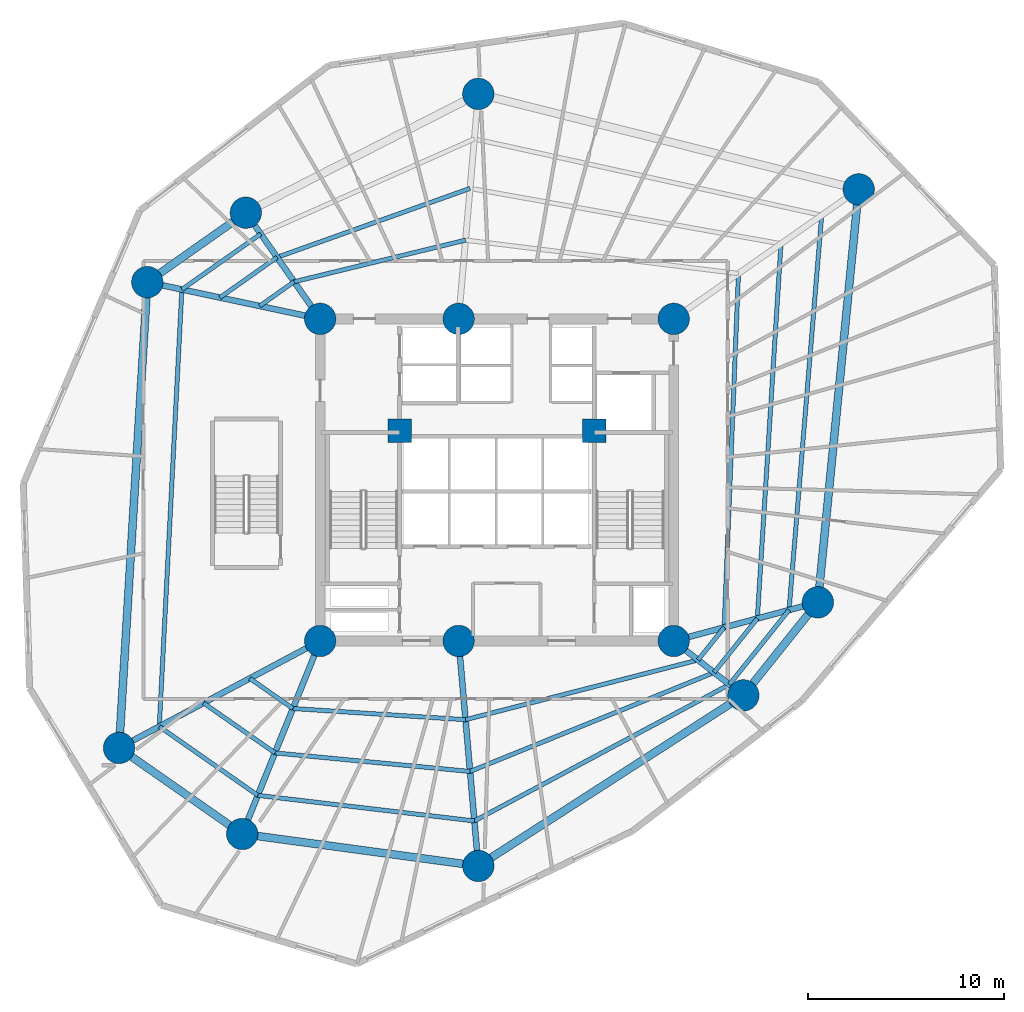
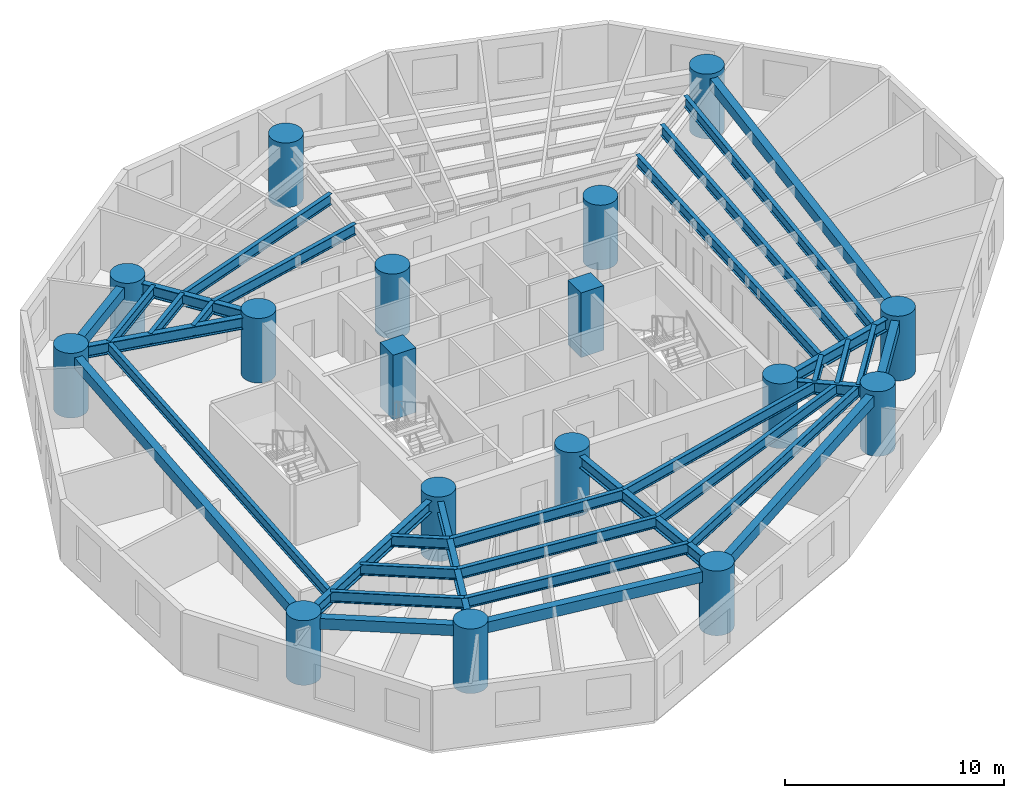
# One storey, part 1 of 8: 35 beams, 17 columns.
"""IFC4 building model written with IfcOpenShell, lengths in metres."""

from ifc_helpers import new_model, si_unit, direction, frame, origin, origin_with_axes, origin_2d, place, context, subcontext, project, spatial, rectangle, circle, i_section, extrude, source, transform, mapped, material, material_profile, profile_set, type_object, element, save


model = new_model("IFC4")

# Units and contexts
model_context = context("Model", 3, precision=1e-05, world=origin(), true_north=direction((0.0, 1.0)))
body_context = subcontext(model_context, "Body", "Model", "MODEL_VIEW")
ifc_project = project(units=[si_unit("LENGTHUNIT", "METRE"), si_unit("AREAUNIT", "SQUARE_METRE"), si_unit("VOLUMEUNIT", "CUBIC_METRE"), si_unit("PLANEANGLEUNIT", "RADIAN"), si_unit("MASSUNIT", "GRAM", prefix="KILO")], contexts=[model_context])

# Site, building, storey
site_placement = place(None, origin())
site = spatial("IfcSite", under=ifc_project, at=site_placement, CompositionType="ELEMENT")
building_placement = place(site_placement, origin())
building = spatial("IfcBuilding", under=site, at=building_placement, Name="Karkom Vertical University and Central Library", CompositionType="ELEMENT")
storey_placement = place(building_placement, frame((0.0, 0.0, 51.699951171875)))
storey = spatial("IfcBuildingStorey", under=building, at=storey_placement, Name="L13", CompositionType="ELEMENT", Elevation=51.699951171875)

# Columns
ifc_material_1 = material(Name="Concrete C50/60", Category="concrete")
ifc_material_profile_1 = material_profile(ifc_material_1, circle(Radius=0.800048828125, at=origin_2d()), Name="CFT-D1600")
ifc_profile_set_1 = profile_set([ifc_material_profile_1], Name="Concrete C50/60")
column_type_1 = type_object("IfcColumnType", Name="STR-COL-C-SC2", PredefinedType="COLUMN", material=ifc_profile_set_1)
shared_shape_1 = source(origin_with_axes(), body_context, "Body", "SweptSolid", [
    extrude(circle(Radius=0.800048828125, at=origin_2d()), origin(), (0.0, 0.0, 1.0), 3.60009765625),
])
for number, where, z_axis, x_axis, name in (
    (1, (19.5, 18.300048828125, 0.0), (0.0, 0.0, 1.0), (1.0, 0.0, 0.0), "Level 13 Spine Mega-Column SC-1"),
    (2, (26.550048828125, 18.300048828125, 0.0), (0.0, 0.0, 1.0), (1.0, 0.0, 0.0), "Level 13 Spine Mega-Column SC-2"),
    (3, (37.5, 18.300048828125, 0.0), (0.0, 0.0, 1.0), (1.0, 0.0, 0.0), "Level 13 Spine Mega-Column SC-3"),
    (4, (19.5, 34.699951171875, 0.0), (0.0, 0.0, 1.0), (1.0, 0.0, 0.0), "Level 13 Spine Mega-Column SC-4"),
    (5, (26.550048828125, 34.699951171875, 0.0), (0.0, 0.0, 1.0), (1.0, 0.0, 0.0), "Level 13 Spine Mega-Column SC-5"),
    (6, (37.5, 34.699951171875, 0.0), (0.0, 0.0, 1.0), (1.0, 0.0, 0.0), "Level 13 Spine Mega-Column SC-6"),
    (7, (44.841064453125, 20.26708984375, 0.0), (0.0, 0.0, 1.0), (1.0, 0.0, 0.0), "Level 13 Perimeter Mega-Column Z1-PC1"),
    (8, (46.919921875, 41.2958984375, 0.0), (0.0, 0.0, 1.0), (1.0, 0.0, 0.0), "Level 13 Perimeter Mega-Column Z1-PC2"),
    (9, (27.552001953125, 46.156005859375, 0.0), (0.0, 0.0, 1.0), (1.0, 0.0, 0.0), "Level 13 Perimeter Mega-Column Z1-PC3"),
    (10, (15.714111328125, 40.10595703125, 0.0), (0.0, 0.0, 1.0), (1.0, 0.0, 0.0), "Level 13 Perimeter Mega-Column Z1-PC4"),
    (11, (10.697021484375, 36.571044921875, 0.0), (0.0, 0.0, 1.0), (1.0, 0.0, 0.0), "Level 13 Perimeter Mega-Column Z1-PC5"),
    (12, (9.258056640625, 12.85400390625, 0.0), (0.0, 0.0, 1.0), (1.0, 0.0, 0.0), "Level 13 Perimeter Mega-Column Z1-PC6"),
    (13, (15.529052734375, 8.471923828125, 0.0), (0.0, 0.0, 1.0), (1.0, 0.0, 0.0), "Level 13 Perimeter Mega-Column Z1-PC7"),
    (14, (27.552001953125, 6.843994140625, 0.0), (0.0, 0.0, 1.0), (1.0, 0.0, 0.0), "Level 13 Perimeter Mega-Column Z1-PC8"),
    (15, (41.0458984375, 15.530029296875, 0.0), (0.0, 0.0, 1.0), (1.0, 0.0, 0.0), "Level 13 Perimeter Mega-Column Z1-PC9"),
):
    element("IfcColumn", number, at=place(storey_placement, frame(where, z_axis=z_axis, x_axis=x_axis)), inside=storey, type_object=column_type_1, Name=name, PredefinedType="COLUMN", context=body_context, shape_type="MappedRepresentation", body=[
        mapped(shared_shape_1, transform((0.0, 0.0, 0.0), scale=1.0)),
    ])
ifc_material_profile_2 = material_profile(ifc_material_1, rectangle(XDim=1.199951171875, YDim=1.199951171875, at=origin_2d()), Name="RC-1200x1200")
ifc_profile_set_2 = profile_set([ifc_material_profile_2], Name="Concrete C50/60")
column_type_2 = type_object("IfcColumnType", Name="STR-COL-C-CC1", PredefinedType="COLUMN", material=ifc_profile_set_2)
shared_shape_2 = source(origin_with_axes(), body_context, "Body", "SweptSolid", [
    extrude(rectangle(XDim=1.199951171875, YDim=1.199951171875, at=origin_2d()), origin(), (0.0, 0.0, 1.0), 3.60009765625),
])
for number, where, z_axis, x_axis, name in (
    (16, (23.550048828125, 29.0, 0.0), (0.0, 0.0, 1.0), (1.0, 0.0, 0.0), "Level 13 Core Node Column CC-1"),
    (17, (33.449951171875, 29.0, 0.0), (0.0, 0.0, 1.0), (1.0, 0.0, 0.0), "Level 13 Core Node Column CC-2"),
):
    element("IfcColumn", number, at=place(storey_placement, frame(where, z_axis=z_axis, x_axis=x_axis)), inside=storey, type_object=column_type_2, Name=name, PredefinedType="COLUMN", context=body_context, shape_type="MappedRepresentation", body=[
        mapped(shared_shape_2, transform((0.0, 0.0, 0.0), scale=1.0)),
    ])

# Beams
ifc_material_2 = material(Name="Steel S355", Category="steel")
ifc_material_profile_3 = material_profile(ifc_material_2, i_section(OverallWidth=0.300048828125, OverallDepth=0.64990234375, WebThickness=0.01611328125, FlangeThickness=0.031005859375, FilletRadius=0.027099609375, at=origin_2d()), Name="HE 650 B")
ifc_profile_set_3 = profile_set([ifc_material_profile_3], Name="Steel S355")
beam_type_1 = type_object("IfcBeamType", Name="STR-BM-SB-HE650", PredefinedType="USERDEFINED", material=ifc_profile_set_3)
shared_shape_3 = source(origin_with_axes(), body_context, "Body", "SweptSolid", [
    extrude(i_section(OverallWidth=0.300048828125, OverallDepth=0.64990234375, WebThickness=0.01611328125, FlangeThickness=0.031005859375, FilletRadius=0.027099609375, at=origin_2d()), origin(), (0.0, 0.0, 1.0), 7.60009765625),
])
beam_1_placement = place(storey_placement, frame((37.5, 18.300048828125, 3.025146484375), z_axis=(0.965925539322, 0.258820116077, 0.0), x_axis=(-0.258820116077, 0.965925539322, 0.0)))
element("IfcBeam", 18, at=beam_1_placement, inside=storey, type_object=beam_type_1, Name="Level 13 Radial Frame Girder 01", ObjectType="GIRDER", PredefinedType="USERDEFINED", context=body_context, shape_type="MappedRepresentation", body=[
    mapped(shared_shape_3, transform((0.0, 0.0, 0.0), scale=1.0)),
])
shared_shape_4 = source(origin_with_axes(), body_context, "Body", "SweptSolid", [
    extrude(i_section(OverallWidth=0.300048828125, OverallDepth=0.64990234375, WebThickness=0.01611328125, FlangeThickness=0.031005859375, FilletRadius=0.027099609375, at=origin_2d()), origin(), (0.0, 0.0, 1.0), 11.499755859375),
])
beam_2_placement = place(storey_placement, frame((26.550048828125, 18.300048828125, 3.025146484375), z_axis=(0.087127973109, -0.99619712723, 0.0), x_axis=(0.99619712723, 0.087127973109, 0.0)))
element("IfcBeam", 19, at=beam_2_placement, inside=storey, type_object=beam_type_1, Name="Level 13 Radial Frame Girder 08", ObjectType="GIRDER", PredefinedType="USERDEFINED", context=body_context, shape_type="MappedRepresentation", body=[
    mapped(shared_shape_4, transform((0.0, 0.0, 0.0), scale=1.0)),
])
shared_shape_5 = source(origin_with_axes(), body_context, "Body", "SweptSolid", [
    extrude(i_section(OverallWidth=0.300048828125, OverallDepth=0.64990234375, WebThickness=0.01611328125, FlangeThickness=0.031005859375, FilletRadius=0.027099609375, at=origin_2d()), origin(), (0.0, 0.0, 1.0), 6.599853515625),
])
beam_3_placement = place(storey_placement, frame((19.5, 34.699951171875, 3.025146484375), z_axis=(-0.573633636671, 0.819111989218, 0.0), x_axis=(-0.819111989218, -0.573633636671, 0.0)))
element("IfcBeam", 20, at=beam_3_placement, inside=storey, type_object=beam_type_1, Name="Level 13 Radial Frame Girder 04", ObjectType="GIRDER", PredefinedType="USERDEFINED", context=body_context, shape_type="MappedRepresentation", body=[
    mapped(shared_shape_5, transform((0.0, 0.0, 0.0), scale=1.0)),
])
shared_shape_6 = source(origin_with_axes(), body_context, "Body", "SweptSolid", [
    extrude(i_section(OverallWidth=0.300048828125, OverallDepth=0.64990234375, WebThickness=0.01611328125, FlangeThickness=0.031005859375, FilletRadius=0.027099609375, at=origin_2d()), origin(), (0.0, 0.0, 1.0), 8.999755859375),
])
beam_4_placement = place(storey_placement, frame((19.5, 34.699951171875, 3.025146484375), z_axis=(-0.978148438993, 0.207907747079, 0.0), x_axis=(-0.207907747079, -0.978148438993, 0.0)))
element("IfcBeam", 21, at=beam_4_placement, inside=storey, type_object=beam_type_1, Name="Level 13 Radial Frame Girder 05", ObjectType="GIRDER", PredefinedType="USERDEFINED", context=body_context, shape_type="MappedRepresentation", body=[
    mapped(shared_shape_6, transform((0.0, 0.0, 0.0), scale=1.0)),
])
shared_shape_7 = source(origin_with_axes(), body_context, "Body", "SweptSolid", [
    extrude(i_section(OverallWidth=0.300048828125, OverallDepth=0.64990234375, WebThickness=0.01611328125, FlangeThickness=0.031005859375, FilletRadius=0.027099609375, at=origin_2d()), origin(), (0.0, 0.0, 1.0), 11.599853515625),
])
beam_5_placement = place(storey_placement, frame((19.5, 18.300048828125, 3.025146484375), z_axis=(-0.882936620635, -0.469492197957, 0.0), x_axis=(0.469492197957, -0.882936620635, 0.0)))
element("IfcBeam", 22, at=beam_5_placement, inside=storey, type_object=beam_type_1, Name="Level 13 Radial Frame Girder 06", ObjectType="GIRDER", PredefinedType="USERDEFINED", context=body_context, shape_type="MappedRepresentation", body=[
    mapped(shared_shape_7, transform((0.0, 0.0, 0.0), scale=1.0)),
])
shared_shape_8 = source(origin_with_axes(), body_context, "Body", "SweptSolid", [
    extrude(i_section(OverallWidth=0.300048828125, OverallDepth=0.64990234375, WebThickness=0.01611328125, FlangeThickness=0.031005859375, FilletRadius=0.027099609375, at=origin_2d()), origin(), (0.0, 0.0, 1.0), 10.60009765625),
])
beam_6_placement = place(storey_placement, frame((19.5, 18.300048828125, 3.025146484375), z_axis=(-0.374616894394, -0.927179692635, 0.0), x_axis=(0.927179692635, -0.374616894394, 0.0)))
element("IfcBeam", 23, at=beam_6_placement, inside=storey, type_object=beam_type_1, Name="Level 13 Radial Frame Girder 07", ObjectType="GIRDER", PredefinedType="USERDEFINED", context=body_context, shape_type="MappedRepresentation", body=[
    mapped(shared_shape_8, transform((0.0, 0.0, 0.0), scale=1.0)),
])
shared_shape_9 = source(origin_with_axes(), body_context, "Body", "SweptSolid", [
    extrude(i_section(OverallWidth=0.300048828125, OverallDepth=0.64990234375, WebThickness=0.01611328125, FlangeThickness=0.031005859375, FilletRadius=0.027099609375, at=origin_2d()), origin(), (0.0, 0.0, 1.0), 4.49951171875),
])
beam_7_placement = place(storey_placement, frame((37.5, 18.300048828125, 3.025146484375), z_axis=(0.788047405801, -0.615614559778, 0.0), x_axis=(0.615614559778, 0.788047405801, 0.0)))
element("IfcBeam", 24, at=beam_7_placement, inside=storey, type_object=beam_type_1, Name="Level 13 Radial Frame Girder 09", ObjectType="GIRDER", PredefinedType="USERDEFINED", context=body_context, shape_type="MappedRepresentation", body=[
    mapped(shared_shape_9, transform((0.0, 0.0, 0.0), scale=1.0)),
])
ifc_material_3 = material(Name="Precast concrete C45/55", Category="concrete")
ifc_material_profile_4 = material_profile(ifc_material_3, rectangle(XDim=0.39990234375, YDim=0.60009765625, at=origin_2d()), Name="SPB-400x600")
ifc_profile_set_4 = profile_set([ifc_material_profile_4], Name="Precast concrete C45/55")
beam_type_2 = type_object("IfcBeamType", Name="STR-BM-SP-1", PredefinedType="SPANDREL", material=ifc_profile_set_4)
shared_shape_10 = source(origin_with_axes(), body_context, "Body", "SweptSolid", [
    extrude(rectangle(XDim=0.39990234375, YDim=0.60009765625, at=origin_2d()), origin(), (0.0, 0.0, 1.0), 21.13134765625),
])
beam_8_placement = place(storey_placement, frame((44.841064453125, 20.26708984375, 3.050048828125), z_axis=(0.0983780471, 0.995149114379, 0.0), x_axis=(-0.995149114379, 0.0983780471, 0.0)))
element("IfcBeam", 25, at=beam_8_placement, inside=storey, type_object=beam_type_2, Name="Level 13 Perimeter Spandrel Beam 01", PredefinedType="SPANDREL", context=body_context, shape_type="MappedRepresentation", body=[
    mapped(shared_shape_10, transform((0.0, 0.0, 0.0), scale=1.0)),
])
shared_shape_11 = source(origin_with_axes(), body_context, "Body", "SweptSolid", [
    extrude(rectangle(XDim=0.39990234375, YDim=0.60009765625, at=origin_2d()), origin(), (0.0, 0.0, 1.0), 6.13720703125),
])
beam_9_placement = place(storey_placement, frame((15.714111328125, 40.10595703125, 3.050048828125), z_axis=(-0.817471365538, -0.575969240955, 0.0), x_axis=(0.575969240955, -0.817471365538, 0.0)))
element("IfcBeam", 26, at=beam_9_placement, inside=storey, type_object=beam_type_2, Name="Level 13 Perimeter Spandrel Beam 04", PredefinedType="SPANDREL", context=body_context, shape_type="MappedRepresentation", body=[
    mapped(shared_shape_11, transform((0.0, 0.0, 0.0), scale=1.0)),
])
shared_shape_12 = source(origin_with_axes(), body_context, "Body", "SweptSolid", [
    extrude(rectangle(XDim=0.39990234375, YDim=0.60009765625, at=origin_2d()), origin(), (0.0, 0.0, 1.0), 23.7607421875),
])
beam_10_placement = place(storey_placement, frame((10.697021484375, 36.571044921875, 3.050048828125), z_axis=(-0.060560827767, -0.998164508556, 0.0), x_axis=(0.998164508556, -0.060560827767, 0.0)))
element("IfcBeam", 27, at=beam_10_placement, inside=storey, type_object=beam_type_2, Name="Level 13 Perimeter Spandrel Beam 05", PredefinedType="SPANDREL", context=body_context, shape_type="MappedRepresentation", body=[
    mapped(shared_shape_12, transform((0.0, 0.0, 0.0), scale=1.0)),
])
shared_shape_13 = source(origin_with_axes(), body_context, "Body", "SweptSolid", [
    extrude(rectangle(XDim=0.39990234375, YDim=0.60009765625, at=origin_2d()), origin(), (0.0, 0.0, 1.0), 7.650390625),
])
beam_11_placement = place(storey_placement, frame((9.258056640625, 12.85400390625, 3.050048828125), z_axis=(0.819699409527, -0.572793922822, 0.0), x_axis=(0.572793922822, 0.819699409527, 0.0)))
element("IfcBeam", 28, at=beam_11_placement, inside=storey, type_object=beam_type_2, Name="Level 13 Perimeter Spandrel Beam 06", PredefinedType="SPANDREL", context=body_context, shape_type="MappedRepresentation", body=[
    mapped(shared_shape_13, transform((0.0, 0.0, 0.0), scale=1.0)),
])
shared_shape_14 = source(origin_with_axes(), body_context, "Body", "SweptSolid", [
    extrude(rectangle(XDim=0.39990234375, YDim=0.60009765625, at=origin_2d()), origin(), (0.0, 0.0, 1.0), 12.132568359375),
])
beam_12_placement = place(storey_placement, frame((15.529052734375, 8.471923828125, 3.050048828125), z_axis=(0.990957319008, -0.134177464223, 0.0), x_axis=(0.134177464223, 0.990957319008, 0.0)))
element("IfcBeam", 29, at=beam_12_placement, inside=storey, type_object=beam_type_2, Name="Level 13 Perimeter Spandrel Beam 07", PredefinedType="SPANDREL", context=body_context, shape_type="MappedRepresentation", body=[
    mapped(shared_shape_14, transform((0.0, 0.0, 0.0), scale=1.0)),
])
shared_shape_15 = source(origin_with_axes(), body_context, "Body", "SweptSolid", [
    extrude(rectangle(XDim=0.39990234375, YDim=0.60009765625, at=origin_2d()), origin(), (0.0, 0.0, 1.0), 16.0478515625),
])
beam_13_placement = place(storey_placement, frame((27.552001953125, 6.843994140625, 3.050048828125), z_axis=(0.84085555045, 0.541259589548, 0.0), x_axis=(-0.541259589548, 0.84085555045, 0.0)))
element("IfcBeam", 30, at=beam_13_placement, inside=storey, type_object=beam_type_2, Name="Level 13 Perimeter Spandrel Beam 08", PredefinedType="SPANDREL", context=body_context, shape_type="MappedRepresentation", body=[
    mapped(shared_shape_15, transform((0.0, 0.0, 0.0), scale=1.0)),
])
shared_shape_16 = source(origin_with_axes(), body_context, "Body", "SweptSolid", [
    extrude(rectangle(XDim=0.39990234375, YDim=0.60009765625, at=origin_2d()), origin(), (0.0, 0.0, 1.0), 6.06982421875),
])
beam_14_placement = place(storey_placement, frame((41.0458984375, 15.530029296875, 3.050048828125), z_axis=(0.625249167344, 0.780425190992, 0.0), x_axis=(-0.780425190992, 0.625249167344, 0.0)))
element("IfcBeam", 31, at=beam_14_placement, inside=storey, type_object=beam_type_2, Name="Level 13 Perimeter Spandrel Beam 09", PredefinedType="SPANDREL", context=body_context, shape_type="MappedRepresentation", body=[
    mapped(shared_shape_16, transform((0.0, 0.0, 0.0), scale=1.0)),
])
ifc_material_profile_5 = material_profile(ifc_material_2, i_section(OverallWidth=0.219970703125, OverallDepth=0.60009765625, WebThickness=0.011962890625, FlangeThickness=0.01904296875, FilletRadius=0.02392578125, at=origin_2d()), Name="IPE 600")
ifc_profile_set_5 = profile_set([ifc_material_profile_5], Name="Steel S355")
beam_type_3 = type_object("IfcBeamType", Name="STR-BM-SB-IPE600", PredefinedType="BEAM", material=ifc_profile_set_5)
shared_shape_17 = source(origin_with_axes(), body_context, "Body", "SweptSolid", [
    extrude(i_section(OverallWidth=0.219970703125, OverallDepth=0.60009765625, WebThickness=0.011962890625, FlangeThickness=0.01904296875, FilletRadius=0.02392578125, at=origin_2d()), origin(), (0.0, 0.0, 1.0), 18.03466796875),
])
beam_15_placement = place(storey_placement, frame((40.0693359375, 18.988525390625, 3.050048828125), z_axis=(0.04035458262, 0.999185422062, 0.0), x_axis=(-0.999185422062, 0.04035458262, 0.0)))
element("IfcBeam", 32, at=beam_15_placement, inside=storey, type_object=beam_type_3, Name="Level 13 Secondary Composite Floor Beam 1.01", PredefinedType="BEAM", context=body_context, shape_type="MappedRepresentation", body=[
    mapped(shared_shape_17, transform((0.0, 0.0, 0.0), scale=1.0)),
])
shared_shape_18 = source(origin_with_axes(), body_context, "Body", "SweptSolid", [
    extrude(i_section(OverallWidth=0.219970703125, OverallDepth=0.60009765625, WebThickness=0.011962890625, FlangeThickness=0.01904296875, FilletRadius=0.02392578125, at=origin_2d()), origin(), (0.0, 0.0, 1.0), 8.97900390625),
])
beam_16_placement = place(storey_placement, frame((26.900634765625, 38.709716796875, 3.050048828125), z_axis=(-0.971790837509, -0.235844372697, 0.0), x_axis=(0.235844372697, -0.971790837509, 0.0)))
element("IfcBeam", 33, at=beam_16_placement, inside=storey, type_object=beam_type_3, Name="Level 13 Secondary Composite Floor Beam 1.03", PredefinedType="BEAM", context=body_context, shape_type="MappedRepresentation", body=[
    mapped(shared_shape_18, transform((0.0, 0.0, 0.0), scale=1.0)),
])
shared_shape_19 = source(origin_with_axes(), body_context, "Body", "SweptSolid", [
    extrude(i_section(OverallWidth=0.219970703125, OverallDepth=0.60009765625, WebThickness=0.011962890625, FlangeThickness=0.01904296875, FilletRadius=0.02392578125, at=origin_2d()), origin(), (0.0, 0.0, 1.0), 2.14794921875),
])
beam_17_placement = place(storey_placement, frame((18.1748046875, 36.592041015625, 3.050048828125), z_axis=(-0.817433780971, -0.576022580918, 0.0), x_axis=(0.576022580918, -0.817433780971, 0.0)))
element("IfcBeam", 34, at=beam_17_placement, inside=storey, type_object=beam_type_3, Name="Level 13 Secondary Composite Floor Beam 1.04", PredefinedType="BEAM", context=body_context, shape_type="MappedRepresentation", body=[
    mapped(shared_shape_19, transform((0.0, 0.0, 0.0), scale=1.0)),
])
shared_shape_20 = source(origin_with_axes(), body_context, "Body", "SweptSolid", [
    extrude(i_section(OverallWidth=0.219970703125, OverallDepth=0.60009765625, WebThickness=0.011962890625, FlangeThickness=0.01904296875, FilletRadius=0.02392578125, at=origin_2d()), origin(), (0.0, 0.0, 1.0), 2.677490234375),
])
beam_18_placement = place(storey_placement, frame((15.915283203125, 16.393798828125, 3.050048828125), z_axis=(0.819702839548, -0.572789014243, 0.0), x_axis=(0.572789014243, 0.819702839548, 0.0)))
element("IfcBeam", 35, at=beam_18_placement, inside=storey, type_object=beam_type_3, Name="Level 13 Secondary Composite Floor Beam 1.06", PredefinedType="BEAM", context=body_context, shape_type="MappedRepresentation", body=[
    mapped(shared_shape_20, transform((0.0, 0.0, 0.0), scale=1.0)),
])
shared_shape_21 = source(origin_with_axes(), body_context, "Body", "SweptSolid", [
    extrude(i_section(OverallWidth=0.219970703125, OverallDepth=0.60009765625, WebThickness=0.011962890625, FlangeThickness=0.01904296875, FilletRadius=0.02392578125, at=origin_2d()), origin(), (0.0, 0.0, 1.0), 8.80908203125),
])
beam_19_placement = place(storey_placement, frame((18.110107421875, 14.860107421875, 3.050048828125), z_axis=(0.997905617906, -0.064686766433, 0.0), x_axis=(0.064686766433, 0.997905617906, 0.0)))
element("IfcBeam", 36, at=beam_19_placement, inside=storey, type_object=beam_type_3, Name="Level 13 Secondary Composite Floor Beam 1.07", PredefinedType="BEAM", context=body_context, shape_type="MappedRepresentation", body=[
    mapped(shared_shape_21, transform((0.0, 0.0, 0.0), scale=1.0)),
])
shared_shape_22 = source(origin_with_axes(), body_context, "Body", "SweptSolid", [
    extrude(i_section(OverallWidth=0.219970703125, OverallDepth=0.60009765625, WebThickness=0.011962890625, FlangeThickness=0.01904296875, FilletRadius=0.02392578125, at=origin_2d()), origin(), (0.0, 0.0, 1.0), 12.224609375),
])
beam_20_placement = place(storey_placement, frame((26.900634765625, 14.290283203125, 3.050048828125), z_axis=(0.968580403264, 0.248700628092, 0.0), x_axis=(-0.248700628092, 0.968580403264, 0.0)))
element("IfcBeam", 37, at=beam_20_placement, inside=storey, type_object=beam_type_3, Name="Level 13 Secondary Composite Floor Beam 1.08", PredefinedType="BEAM", context=body_context, shape_type="MappedRepresentation", body=[
    mapped(shared_shape_22, transform((0.0, 0.0, 0.0), scale=1.0)),
])
shared_shape_23 = source(origin_with_axes(), body_context, "Body", "SweptSolid", [
    extrude(i_section(OverallWidth=0.219970703125, OverallDepth=0.60009765625, WebThickness=0.011962890625, FlangeThickness=0.01904296875, FilletRadius=0.02392578125, at=origin_2d()), origin(), (0.0, 0.0, 1.0), 2.124267578125),
])
beam_21_placement = place(storey_placement, frame((38.7412109375, 17.33056640625, 3.050048828125), z_axis=(0.625199471959, 0.780465002587, 0.0), x_axis=(-0.780465002587, 0.625199471959, 0.0)))
element("IfcBeam", 38, at=beam_21_placement, inside=storey, type_object=beam_type_3, Name="Level 13 Secondary Composite Floor Beam 1.09", PredefinedType="BEAM", context=body_context, shape_type="MappedRepresentation", body=[
    mapped(shared_shape_23, transform((0.0, 0.0, 0.0), scale=1.0)),
])
shared_shape_24 = source(origin_with_axes(), body_context, "Body", "SweptSolid", [
    extrude(i_section(OverallWidth=0.219970703125, OverallDepth=0.60009765625, WebThickness=0.011962890625, FlangeThickness=0.01904296875, FilletRadius=0.02392578125, at=origin_2d()), origin(), (0.0, 0.0, 1.0), 19.122802734375),
])
beam_22_placement = place(storey_placement, frame((41.7578125, 19.44091796875, 3.050048828125), z_axis=(0.063056264597, 0.998009973645, 0.0), x_axis=(-0.998009973645, 0.063056264597, 0.0)))
element("IfcBeam", 39, at=beam_22_placement, inside=storey, type_object=beam_type_3, Name="Level 13 Secondary Composite Floor Beam 2.01", PredefinedType="BEAM", context=body_context, shape_type="MappedRepresentation", body=[
    mapped(shared_shape_24, transform((0.0, 0.0, 0.0), scale=1.0)),
])
shared_shape_25 = source(origin_with_axes(), body_context, "Body", "SweptSolid", [
    extrude(i_section(OverallWidth=0.219970703125, OverallDepth=0.60009765625, WebThickness=0.011962890625, FlangeThickness=0.01904296875, FilletRadius=0.02392578125, at=origin_2d()), origin(), (0.0, 0.0, 1.0), 10.4345703125),
])
beam_23_placement = place(storey_placement, frame((27.131103515625, 41.344482421875, 3.050048828125), z_axis=(-0.941759378798, -0.336287484819, 0.0), x_axis=(0.336287484819, -0.941759378798, 0.0)))
element("IfcBeam", 40, at=beam_23_placement, inside=storey, type_object=beam_type_3, Name="Level 13 Secondary Composite Floor Beam 2.03", PredefinedType="BEAM", context=body_context, shape_type="MappedRepresentation", body=[
    mapped(shared_shape_25, transform((0.0, 0.0, 0.0), scale=1.0)),
])
shared_shape_26 = source(origin_with_axes(), body_context, "Body", "SweptSolid", [
    extrude(i_section(OverallWidth=0.219970703125, OverallDepth=0.60009765625, WebThickness=0.011962890625, FlangeThickness=0.01904296875, FilletRadius=0.02392578125, at=origin_2d()), origin(), (0.0, 0.0, 1.0), 3.5595703125),
])
beam_24_placement = place(storey_placement, frame((17.30419921875, 37.83544921875, 3.050048828125), z_axis=(-0.817465552849, -0.575977490798, 0.0), x_axis=(0.575977490798, -0.817465552849, 0.0)))
element("IfcBeam", 41, at=beam_24_placement, inside=storey, type_object=beam_type_3, Name="Level 13 Secondary Composite Floor Beam 2.04", PredefinedType="BEAM", context=body_context, shape_type="MappedRepresentation", body=[
    mapped(shared_shape_26, transform((0.0, 0.0, 0.0), scale=1.0)),
])
shared_shape_27 = source(origin_with_axes(), body_context, "Body", "SweptSolid", [
    extrude(i_section(OverallWidth=0.219970703125, OverallDepth=0.60009765625, WebThickness=0.011962890625, FlangeThickness=0.01904296875, FilletRadius=0.02392578125, at=origin_2d()), origin(), (0.0, 0.0, 1.0), 4.437255859375),
])
beam_25_placement = place(storey_placement, frame((13.5595703125, 15.141357421875, 3.050048828125), z_axis=(0.819712425733, -0.572775295468, 0.0), x_axis=(0.572775295468, 0.819712425733, 0.0)))
element("IfcBeam", 42, at=beam_25_placement, inside=storey, type_object=beam_type_3, Name="Level 13 Secondary Composite Floor Beam 2.06", PredefinedType="BEAM", context=body_context, shape_type="MappedRepresentation", body=[
    mapped(shared_shape_27, transform((0.0, 0.0, 0.0), scale=1.0)),
])
shared_shape_28 = source(origin_with_axes(), body_context, "Body", "SweptSolid", [
    extrude(i_section(OverallWidth=0.219970703125, OverallDepth=0.60009765625, WebThickness=0.011962890625, FlangeThickness=0.01904296875, FilletRadius=0.02392578125, at=origin_2d()), origin(), (0.0, 0.0, 1.0), 9.97900390625),
])
beam_26_placement = place(storey_placement, frame((17.19677734375, 12.599853515625, 3.050048828125), z_axis=(0.995512389915, -0.094631292526, 0.0), x_axis=(0.094631292526, 0.995512389915, 0.0)))
element("IfcBeam", 43, at=beam_26_placement, inside=storey, type_object=beam_type_3, Name="Level 13 Secondary Composite Floor Beam 2.07", PredefinedType="BEAM", context=body_context, shape_type="MappedRepresentation", body=[
    mapped(shared_shape_28, transform((0.0, 0.0, 0.0), scale=1.0)),
])
shared_shape_29 = source(origin_with_axes(), body_context, "Body", "SweptSolid", [
    extrude(i_section(OverallWidth=0.219970703125, OverallDepth=0.60009765625, WebThickness=0.011962890625, FlangeThickness=0.01904296875, FilletRadius=0.02392578125, at=origin_2d()), origin(), (0.0, 0.0, 1.0), 13.407958984375),
])
beam_27_placement = place(storey_placement, frame((27.131103515625, 11.655517578125, 3.050048828125), z_axis=(0.926727273371, 0.375734694685, 0.0), x_axis=(-0.375734694685, 0.926727273371, 0.0)))
element("IfcBeam", 44, at=beam_27_placement, inside=storey, type_object=beam_type_3, Name="Level 13 Secondary Composite Floor Beam 2.08", PredefinedType="BEAM", context=body_context, shape_type="MappedRepresentation", body=[
    mapped(shared_shape_29, transform((0.0, 0.0, 0.0), scale=1.0)),
])
shared_shape_30 = source(origin_with_axes(), body_context, "Body", "SweptSolid", [
    extrude(i_section(OverallWidth=0.219970703125, OverallDepth=0.60009765625, WebThickness=0.011962890625, FlangeThickness=0.01904296875, FilletRadius=0.02392578125, at=origin_2d()), origin(), (0.0, 0.0, 1.0), 3.5205078125),
])
beam_28_placement = place(storey_placement, frame((39.556640625, 16.693359375, 3.050048828125), z_axis=(0.62523614548, 0.780435623473, 0.0), x_axis=(-0.780435623473, 0.62523614548, 0.0)))
element("IfcBeam", 45, at=beam_28_placement, inside=storey, type_object=beam_type_3, Name="Level 13 Secondary Composite Floor Beam 2.09", PredefinedType="BEAM", context=body_context, shape_type="MappedRepresentation", body=[
    mapped(shared_shape_30, transform((0.0, 0.0, 0.0), scale=1.0)),
])
shared_shape_31 = source(origin_with_axes(), body_context, "Body", "SweptSolid", [
    extrude(i_section(OverallWidth=0.219970703125, OverallDepth=0.60009765625, WebThickness=0.011962890625, FlangeThickness=0.01904296875, FilletRadius=0.02392578125, at=origin_2d()), origin(), (0.0, 0.0, 1.0), 20.171875),
])
beam_29_placement = place(storey_placement, frame((43.372802734375, 19.87353515625, 3.050048828125), z_axis=(0.082445490935, 0.996595575459, 0.0), x_axis=(-0.996595575459, 0.082445490935, 0.0)))
element("IfcBeam", 46, at=beam_29_placement, inside=storey, type_object=beam_type_3, Name="Level 13 Secondary Composite Floor Beam 3.01", PredefinedType="BEAM", context=body_context, shape_type="MappedRepresentation", body=[
    mapped(shared_shape_31, transform((0.0, 0.0, 0.0), scale=1.0)),
])
shared_shape_32 = source(origin_with_axes(), body_context, "Body", "SweptSolid", [
    extrude(i_section(OverallWidth=0.219970703125, OverallDepth=0.60009765625, WebThickness=0.011962890625, FlangeThickness=0.01904296875, FilletRadius=0.02392578125, at=origin_2d()), origin(), (0.0, 0.0, 1.0), 4.909912109375),
])
beam_30_placement = place(storey_placement, frame((16.47119140625, 39.02490234375, 3.050048828125), z_axis=(-0.817452635759, -0.575995823153, 0.0), x_axis=(0.575995823153, -0.817452635759, 0.0)))
element("IfcBeam", 47, at=beam_30_placement, inside=storey, type_object=beam_type_3, Name="Level 13 Secondary Composite Floor Beam 3.04", PredefinedType="BEAM", context=body_context, shape_type="MappedRepresentation", body=[
    mapped(shared_shape_32, transform((0.0, 0.0, 0.0), scale=1.0)),
])
shared_shape_33 = source(origin_with_axes(), body_context, "Body", "SweptSolid", [
    extrude(i_section(OverallWidth=0.219970703125, OverallDepth=0.60009765625, WebThickness=0.011962890625, FlangeThickness=0.01904296875, FilletRadius=0.02392578125, at=origin_2d()), origin(), (0.0, 0.0, 1.0), 22.283447265625),
])
beam_31_placement = place(storey_placement, frame((12.45751953125, 36.19677734375, 3.050048828125), z_axis=(-0.051658288147, -0.998664819279, 0.0), x_axis=(0.998664819279, -0.051658288147, 0.0)))
element("IfcBeam", 48, at=beam_31_placement, inside=storey, type_object=beam_type_3, Name="Level 13 Secondary Composite Floor Beam 3.05", PredefinedType="BEAM", context=body_context, shape_type="MappedRepresentation", body=[
    mapped(shared_shape_33, transform((0.0, 0.0, 0.0), scale=1.0)),
])
shared_shape_34 = source(origin_with_axes(), body_context, "Body", "SweptSolid", [
    extrude(i_section(OverallWidth=0.219970703125, OverallDepth=0.60009765625, WebThickness=0.011962890625, FlangeThickness=0.01904296875, FilletRadius=0.02392578125, at=origin_2d()), origin(), (0.0, 0.0, 1.0), 6.120361328125),
])
beam_32_placement = place(storey_placement, frame((11.306396484375, 13.943115234375, 3.050048828125), z_axis=(0.81970577287, -0.572784816422, 0.0), x_axis=(0.572784816422, 0.81970577287, 0.0)))
element("IfcBeam", 49, at=beam_32_placement, inside=storey, type_object=beam_type_3, Name="Level 13 Secondary Composite Floor Beam 3.06", PredefinedType="BEAM", context=body_context, shape_type="MappedRepresentation", body=[
    mapped(shared_shape_34, transform((0.0, 0.0, 0.0), scale=1.0)),
])
shared_shape_35 = source(origin_with_axes(), body_context, "Body", "SweptSolid", [
    extrude(i_section(OverallWidth=0.219970703125, OverallDepth=0.60009765625, WebThickness=0.011962890625, FlangeThickness=0.01904296875, FilletRadius=0.02392578125, at=origin_2d()), origin(), (0.0, 0.0, 1.0), 11.10498046875),
])
beam_33_placement = place(storey_placement, frame((16.3232421875, 10.4375, 3.050048828125), z_axis=(0.993100390447, -0.117267278018, 0.0), x_axis=(0.117267278018, 0.993100390447, 0.0)))
element("IfcBeam", 50, at=beam_33_placement, inside=storey, type_object=beam_type_3, Name="Level 13 Secondary Composite Floor Beam 3.07", PredefinedType="BEAM", context=body_context, shape_type="MappedRepresentation", body=[
    mapped(shared_shape_35, transform((0.0, 0.0, 0.0), scale=1.0)),
])
shared_shape_36 = source(origin_with_axes(), body_context, "Body", "SweptSolid", [
    extrude(i_section(OverallWidth=0.219970703125, OverallDepth=0.60009765625, WebThickness=0.011962890625, FlangeThickness=0.01904296875, FilletRadius=0.02392578125, at=origin_2d()), origin(), (0.0, 0.0, 1.0), 14.727783203125),
])
beam_34_placement = place(storey_placement, frame((27.3515625, 9.13525390625, 3.050048828125), z_axis=(0.881697726656, 0.471814708131, 0.0), x_axis=(-0.471814708131, 0.881697726656, 0.0)))
element("IfcBeam", 51, at=beam_34_placement, inside=storey, type_object=beam_type_3, Name="Level 13 Secondary Composite Floor Beam 3.08", PredefinedType="BEAM", context=body_context, shape_type="MappedRepresentation", body=[
    mapped(shared_shape_36, transform((0.0, 0.0, 0.0), scale=1.0)),
])
shared_shape_37 = source(origin_with_axes(), body_context, "Body", "SweptSolid", [
    extrude(i_section(OverallWidth=0.219970703125, OverallDepth=0.60009765625, WebThickness=0.011962890625, FlangeThickness=0.01904296875, FilletRadius=0.02392578125, at=origin_2d()), origin(), (0.0, 0.0, 1.0), 4.855712890625),
])
beam_35_placement = place(storey_placement, frame((40.3369140625, 16.083984375, 3.050048828125), z_axis=(0.62522835738, 0.780441862747, 0.0), x_axis=(-0.780441862747, 0.62522835738, 0.0)))
element("IfcBeam", 52, at=beam_35_placement, inside=storey, type_object=beam_type_3, Name="Level 13 Secondary Composite Floor Beam 3.09", PredefinedType="BEAM", context=body_context, shape_type="MappedRepresentation", body=[
    mapped(shared_shape_37, transform((0.0, 0.0, 0.0), scale=1.0)),
])

save(model, "model.ifc")
